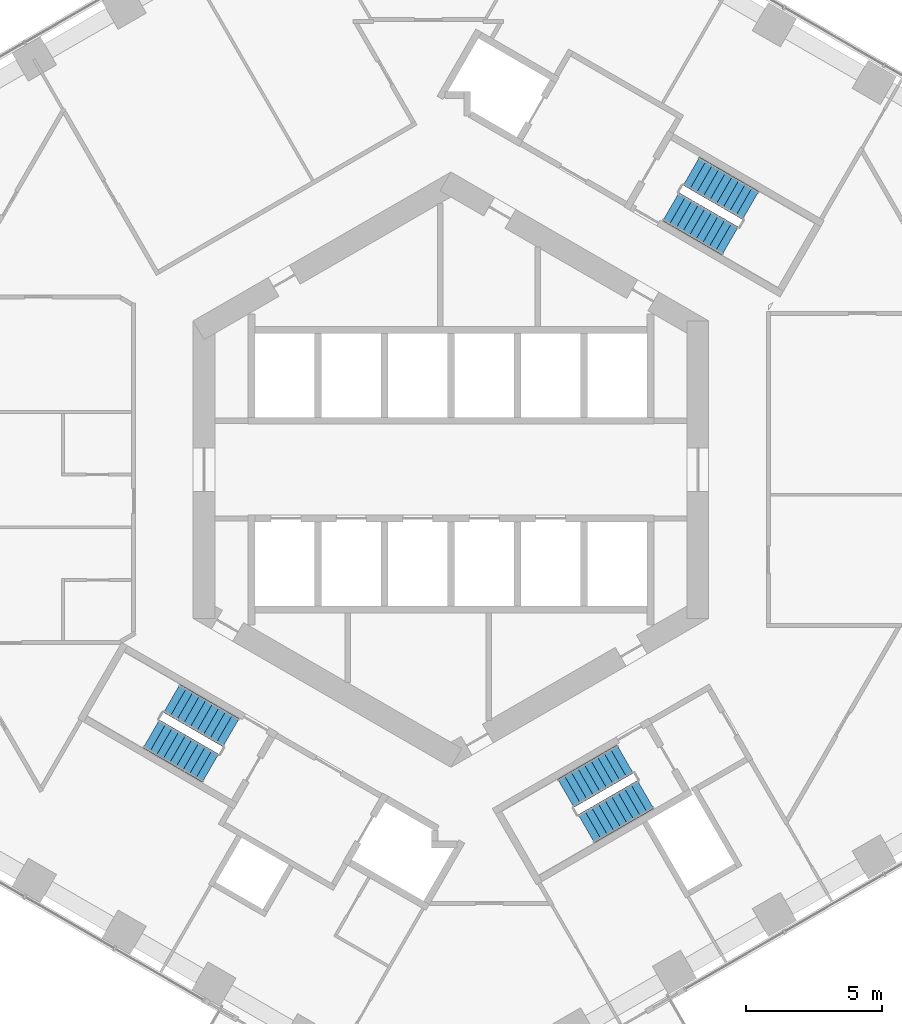
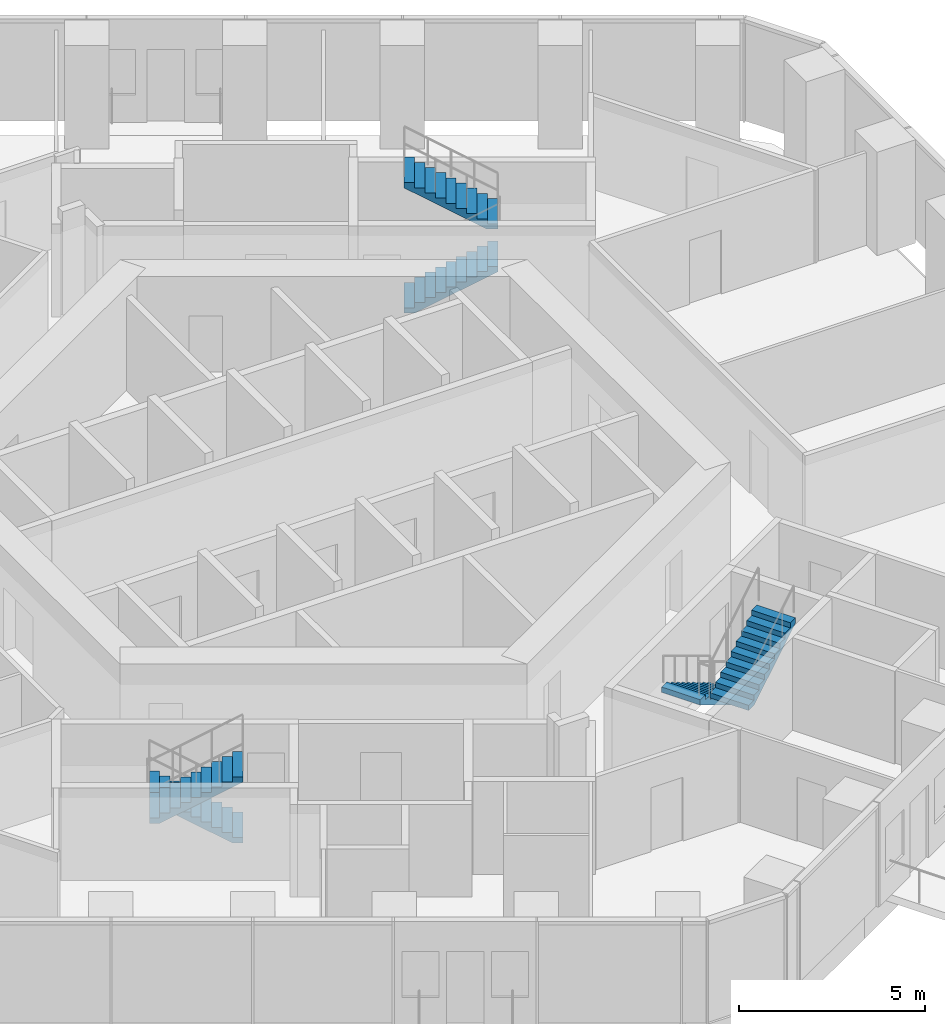
# One storey, part 17 of 20: 6 stair flights, 3 elements without a shape of their own.
"""IFC4 building model written with IfcOpenShell, lengths in metres."""

from ifc_helpers import new_model, si_unit, direction, frame, origin, place, context, subcontext, project, spatial, triangles, material, type_object, element, aggregate, save


model = new_model("IFC4")

# Units and contexts
model_context = context("Model", 3, precision=1e-05, world=origin(), true_north=direction((0.0, 1.0)))
body_context = subcontext(model_context, "Body", "Model", "MODEL_VIEW")
ifc_project = project(units=[si_unit("LENGTHUNIT", "METRE"), si_unit("AREAUNIT", "SQUARE_METRE"), si_unit("VOLUMEUNIT", "CUBIC_METRE"), si_unit("PLANEANGLEUNIT", "RADIAN"), si_unit("MASSUNIT", "GRAM", prefix="KILO")], contexts=[model_context])

# Site, building, storey
site_placement = place(None, origin())
site = spatial("IfcSite", under=ifc_project, at=site_placement, CompositionType="ELEMENT")
building_placement = place(site_placement, origin())
building = spatial("IfcBuilding", under=site, at=building_placement, Name="Ayvan Gate Tower", CompositionType="ELEMENT")
storey_placement = place(building_placement, frame((0.0, 0.0, 59.5)))
storey = spatial("IfcBuildingStorey", under=building, at=storey_placement, Name="L15", CompositionType="ELEMENT", Elevation=59.5)

# Stair, stair flights
ifc_material = material(Name="Concrete C40/50", Category="concrete")
stair_type = type_object("IfcStairType", Name="ST-EXIT", PredefinedType="HALF_TURN_STAIR", material=ifc_material)
stair_1_placement = place(storey_placement, origin())
stair_1 = element("IfcStair", 1, at=stair_1_placement, inside=storey, type_object=stair_type, Name="L15 Exit Stair S1", PredefinedType="HALF_TURN_STAIR")
stair_flight_type = type_object("IfcStairFlightType", Name="SFL-EXIT", PredefinedType="STRAIGHT", material=ifc_material)
stair_flight_1_placement = place(storey_placement, frame((8.106201171875, 9.690185546875, 0.0), z_axis=(0.0, 0.0, 1.0), x_axis=(0.866025403784, -0.5, 0.0)))
stair_flight_1 = element("IfcStairFlight", 2, at=stair_flight_1_placement, type_object=stair_flight_type, Name="STS1 flight 1", NumberOfRisers=10, NumberOfTreads=9, PredefinedType="STRAIGHT", RiserHeight=0.17, TreadLength=0.28, context=body_context, shape_type="Tessellation", body=[
    triangles([(0.288841, -0.599976, 0.0), (2.5205, -0.599976, 1.354936), (2.5205, -0.599976, 1.53), (2.24, -0.599976, 1.53), (2.24, -0.599976, 1.36), (1.96, -0.599976, 1.36), (1.96, -0.599976, 1.19), (1.68, -0.599976, 1.19), (1.68, -0.599976, 1.02), (1.4, -0.599976, 1.02), (1.4, -0.599976, 0.85), (1.12, -0.599976, 0.85), (1.12, -0.599976, 0.68), (0.84, -0.599976, 0.68), (0.84, -0.599976, 0.51), (0.56, -0.599976, 0.51), (0.56, -0.599976, 0.34), (0.28, -0.599976, 0.34), (0.28, -0.599976, 0.17), (-0.0005, -0.599976, 0.17), (-0.0005, -0.599976, 0.0), (0.288841, 0.0, 0.0), (2.5205, 0.0, 1.354936), (2.5205, 0.0, 1.53), (2.24, 0.0, 1.53), (2.24, 0.0, 1.36), (1.96, 0.0, 1.36), (1.96, 0.0, 1.19), (1.68, 0.0, 1.19), (1.68, 0.0, 1.02), (1.4, 0.0, 1.02), (1.4, 0.0, 0.85), (1.12, 0.0, 0.85), (1.12, 0.0, 0.68), (0.84, 0.0, 0.68), (0.84, 0.0, 0.51), (0.56, 0.0, 0.51), (0.56, 0.0, 0.34), (0.28, 0.0, 0.34), (0.28, 0.0, 0.17), (-0.0005, 0.0, 0.17), (-0.0005, 0.0, 0.0), (0.288841, 0.599976, 0.0), (2.5205, 0.599976, 1.354936), (2.5205, 0.599976, 1.53), (2.24, 0.599976, 1.53), (2.24, 0.599976, 1.36), (1.96, 0.599976, 1.36), (1.96, 0.599976, 1.19), (1.68, 0.599976, 1.19), (1.68, 0.599976, 1.02), (1.4, 0.599976, 1.02), (1.4, 0.599976, 0.85), (1.12, 0.599976, 0.85), (1.12, 0.599976, 0.68), (0.84, 0.599976, 0.68), (0.84, 0.599976, 0.51), (0.56, 0.599976, 0.51), (0.56, 0.599976, 0.34), (0.28, 0.599976, 0.34), (0.28, 0.599976, 0.17), (-0.0005, 0.599976, 0.17), (-0.0005, 0.599976, 0.0)], [[21, 1, 2], [63, 44, 43], [2, 3, 4], [44, 46, 45], [2, 4, 5], [44, 47, 46], [2, 5, 6], [44, 48, 47], [2, 6, 7], [44, 49, 48], [7, 8, 9], [49, 51, 50], [2, 7, 9], [44, 51, 49], [9, 10, 11], [51, 53, 52], [2, 9, 11], [44, 53, 51], [11, 12, 13], [53, 55, 54], [2, 11, 13], [44, 55, 53], [13, 14, 15], [55, 57, 56], [2, 13, 15], [44, 57, 55], [15, 16, 17], [57, 59, 58], [2, 15, 17], [44, 59, 57], [17, 18, 19], [59, 61, 60], [2, 17, 19], [44, 61, 59], [21, 2, 19], [63, 61, 44], [19, 20, 21], [61, 63, 62], [1, 22, 23], [1, 23, 2], [43, 23, 22], [43, 44, 23], [2, 23, 24], [2, 24, 3], [44, 24, 23], [44, 45, 24], [3, 24, 25], [3, 25, 4], [45, 25, 24], [45, 46, 25], [4, 25, 26], [4, 26, 5], [46, 26, 25], [46, 47, 26], [5, 26, 27], [5, 27, 6], [47, 27, 26], [47, 48, 27], [6, 27, 28], [6, 28, 7], [48, 28, 27], [48, 49, 28], [7, 28, 29], [7, 29, 8], [49, 29, 28], [49, 50, 29], [8, 29, 30], [8, 30, 9], [50, 30, 29], [50, 51, 30], [9, 30, 31], [9, 31, 10], [51, 31, 30], [51, 52, 31], [10, 31, 32], [10, 32, 11], [52, 32, 31], [52, 53, 32], [11, 32, 33], [11, 33, 12], [53, 33, 32], [53, 54, 33], [12, 33, 34], [12, 34, 13], [54, 34, 33], [54, 55, 34], [13, 34, 35], [13, 35, 14], [55, 35, 34], [55, 56, 35], [14, 35, 36], [14, 36, 15], [56, 36, 35], [56, 57, 36], [15, 36, 37], [15, 37, 16], [57, 37, 36], [57, 58, 37], [16, 37, 38], [16, 38, 17], [58, 38, 37], [58, 59, 38], [17, 38, 39], [17, 39, 18], [59, 39, 38], [59, 60, 39], [18, 39, 40], [18, 40, 19], [60, 40, 39], [60, 61, 40], [19, 40, 41], [19, 41, 20], [61, 41, 40], [61, 62, 41], [20, 41, 42], [20, 42, 21], [62, 42, 41], [62, 63, 42], [21, 42, 22], [21, 22, 1], [63, 22, 42], [63, 43, 22]], closed=True),
])
stair_flight_2_placement = place(storey_placement, frame((11.04345703125, 9.73779296875, 1.699951171875), z_axis=(0.0, 0.0, 1.0), x_axis=(-0.866025403784, 0.5, 0.0)))
stair_flight_2 = element("IfcStairFlight", 3, at=stair_flight_2_placement, type_object=stair_flight_type, Name="STS1 flight 2", NumberOfRisers=10, NumberOfTreads=9, PredefinedType="STRAIGHT", RiserHeight=0.17, TreadLength=0.28, context=body_context, shape_type="Tessellation", body=[
    triangles([(0.288841, -0.599976, 0.0), (2.5205, -0.599976, 1.354936), (2.5205, -0.599976, 1.53), (2.24, -0.599976, 1.53), (2.24, -0.599976, 1.36), (1.96, -0.599976, 1.36), (1.96, -0.599976, 1.19), (1.68, -0.599976, 1.19), (1.68, -0.599976, 1.02), (1.4, -0.599976, 1.02), (1.4, -0.599976, 0.85), (1.12, -0.599976, 0.85), (1.12, -0.599976, 0.68), (0.84, -0.599976, 0.68), (0.84, -0.599976, 0.51), (0.56, -0.599976, 0.51), (0.56, -0.599976, 0.34), (0.28, -0.599976, 0.34), (0.28, -0.599976, 0.17), (-0.0005, -0.599976, 0.17), (-0.0005, -0.599976, 0.0), (0.288841, 0.0, 0.0), (2.5205, 0.0, 1.354936), (2.5205, 0.0, 1.53), (2.24, 0.0, 1.53), (2.24, 0.0, 1.36), (1.96, 0.0, 1.36), (1.96, 0.0, 1.19), (1.68, 0.0, 1.19), (1.68, 0.0, 1.02), (1.4, 0.0, 1.02), (1.4, 0.0, 0.85), (1.12, 0.0, 0.85), (1.12, 0.0, 0.68), (0.84, 0.0, 0.68), (0.84, 0.0, 0.51), (0.56, 0.0, 0.51), (0.56, 0.0, 0.34), (0.28, 0.0, 0.34), (0.28, 0.0, 0.17), (-0.0005, 0.0, 0.17), (-0.0005, 0.0, 0.0), (0.288841, 0.599976, 0.0), (2.5205, 0.599976, 1.354936), (2.5205, 0.599976, 1.53), (2.24, 0.599976, 1.53), (2.24, 0.599976, 1.36), (1.96, 0.599976, 1.36), (1.96, 0.599976, 1.19), (1.68, 0.599976, 1.19), (1.68, 0.599976, 1.02), (1.4, 0.599976, 1.02), (1.4, 0.599976, 0.85), (1.12, 0.599976, 0.85), (1.12, 0.599976, 0.68), (0.84, 0.599976, 0.68), (0.84, 0.599976, 0.51), (0.56, 0.599976, 0.51), (0.56, 0.599976, 0.34), (0.28, 0.599976, 0.34), (0.28, 0.599976, 0.17), (-0.0005, 0.599976, 0.17), (-0.0005, 0.599976, 0.0)], [[21, 1, 2], [63, 44, 43], [2, 3, 4], [44, 46, 45], [2, 4, 5], [44, 47, 46], [2, 5, 6], [44, 48, 47], [2, 6, 7], [44, 49, 48], [7, 8, 9], [49, 51, 50], [2, 7, 9], [44, 51, 49], [9, 10, 11], [51, 53, 52], [2, 9, 11], [44, 53, 51], [11, 12, 13], [53, 55, 54], [2, 11, 13], [44, 55, 53], [13, 14, 15], [55, 57, 56], [2, 13, 15], [44, 57, 55], [15, 16, 17], [57, 59, 58], [2, 15, 17], [44, 59, 57], [17, 18, 19], [59, 61, 60], [2, 17, 19], [44, 61, 59], [21, 2, 19], [63, 61, 44], [19, 20, 21], [61, 63, 62], [1, 22, 23], [1, 23, 2], [43, 23, 22], [43, 44, 23], [2, 23, 24], [2, 24, 3], [44, 24, 23], [44, 45, 24], [3, 24, 25], [3, 25, 4], [45, 25, 24], [45, 46, 25], [4, 25, 26], [4, 26, 5], [46, 26, 25], [46, 47, 26], [5, 26, 27], [5, 27, 6], [47, 27, 26], [47, 48, 27], [6, 27, 28], [6, 28, 7], [48, 28, 27], [48, 49, 28], [7, 28, 29], [7, 29, 8], [49, 29, 28], [49, 50, 29], [8, 29, 30], [8, 30, 9], [50, 30, 29], [50, 51, 30], [9, 30, 31], [9, 31, 10], [51, 31, 30], [51, 52, 31], [10, 31, 32], [10, 32, 11], [52, 32, 31], [52, 53, 32], [11, 32, 33], [11, 33, 12], [53, 33, 32], [53, 54, 33], [12, 33, 34], [12, 34, 13], [54, 34, 33], [54, 55, 34], [13, 34, 35], [13, 35, 14], [55, 35, 34], [55, 56, 35], [14, 35, 36], [14, 36, 15], [56, 36, 35], [56, 57, 36], [15, 36, 37], [15, 37, 16], [57, 37, 36], [57, 58, 37], [16, 37, 38], [16, 38, 17], [58, 38, 37], [58, 59, 38], [17, 38, 39], [17, 39, 18], [59, 39, 38], [59, 60, 39], [18, 39, 40], [18, 40, 19], [60, 40, 39], [60, 61, 40], [19, 40, 41], [19, 41, 20], [61, 41, 40], [61, 62, 41], [20, 41, 42], [20, 42, 21], [62, 42, 41], [62, 63, 42], [21, 42, 22], [21, 22, 1], [63, 22, 42], [63, 43, 22]], closed=True),
])
aggregate(stair_1, [stair_flight_1, stair_flight_2])

stair_2_placement = place(storey_placement, origin())
stair_2 = element("IfcStair", 4, at=stair_2_placement, inside=storey, type_object=stair_type, Name="L15 Exit Stair S2", PredefinedType="HALF_TURN_STAIR")
stair_flight_3_placement = place(storey_placement, frame((-8.106201171875, -9.690185546875, 0.0), z_axis=(0.0, 0.0, 1.0), x_axis=(-0.866025403784, 0.5, 0.0)))
stair_flight_3 = element("IfcStairFlight", 5, at=stair_flight_3_placement, type_object=stair_flight_type, Name="STS2 flight 1", NumberOfRisers=10, NumberOfTreads=9, PredefinedType="STRAIGHT", RiserHeight=0.17, TreadLength=0.28, context=body_context, shape_type="Tessellation", body=[
    triangles([(0.288841, -0.599976, 0.0), (2.5205, -0.599976, 1.354936), (2.5205, -0.599976, 1.53), (2.24, -0.599976, 1.53), (2.24, -0.599976, 1.36), (1.96, -0.599976, 1.36), (1.96, -0.599976, 1.19), (1.68, -0.599976, 1.19), (1.68, -0.599976, 1.02), (1.4, -0.599976, 1.02), (1.4, -0.599976, 0.85), (1.12, -0.599976, 0.85), (1.12, -0.599976, 0.68), (0.84, -0.599976, 0.68), (0.84, -0.599976, 0.51), (0.56, -0.599976, 0.51), (0.56, -0.599976, 0.34), (0.28, -0.599976, 0.34), (0.28, -0.599976, 0.17), (-0.0005, -0.599976, 0.17), (-0.0005, -0.599976, 0.0), (0.288841, 0.0, 0.0), (2.5205, 0.0, 1.354936), (2.5205, 0.0, 1.53), (2.24, 0.0, 1.53), (2.24, 0.0, 1.36), (1.96, 0.0, 1.36), (1.96, 0.0, 1.19), (1.68, 0.0, 1.19), (1.68, 0.0, 1.02), (1.4, 0.0, 1.02), (1.4, 0.0, 0.85), (1.12, 0.0, 0.85), (1.12, 0.0, 0.68), (0.84, 0.0, 0.68), (0.84, 0.0, 0.51), (0.56, 0.0, 0.51), (0.56, 0.0, 0.34), (0.28, 0.0, 0.34), (0.28, 0.0, 0.17), (-0.0005, 0.0, 0.17), (-0.0005, 0.0, 0.0), (0.288841, 0.599976, 0.0), (2.5205, 0.599976, 1.354936), (2.5205, 0.599976, 1.53), (2.24, 0.599976, 1.53), (2.24, 0.599976, 1.36), (1.96, 0.599976, 1.36), (1.96, 0.599976, 1.19), (1.68, 0.599976, 1.19), (1.68, 0.599976, 1.02), (1.4, 0.599976, 1.02), (1.4, 0.599976, 0.85), (1.12, 0.599976, 0.85), (1.12, 0.599976, 0.68), (0.84, 0.599976, 0.68), (0.84, 0.599976, 0.51), (0.56, 0.599976, 0.51), (0.56, 0.599976, 0.34), (0.28, 0.599976, 0.34), (0.28, 0.599976, 0.17), (-0.0005, 0.599976, 0.17), (-0.0005, 0.599976, 0.0)], [[21, 1, 2], [63, 44, 43], [2, 3, 4], [44, 46, 45], [2, 4, 5], [44, 47, 46], [2, 5, 6], [44, 48, 47], [2, 6, 7], [44, 49, 48], [7, 8, 9], [49, 51, 50], [2, 7, 9], [44, 51, 49], [9, 10, 11], [51, 53, 52], [2, 9, 11], [44, 53, 51], [11, 12, 13], [53, 55, 54], [2, 11, 13], [44, 55, 53], [13, 14, 15], [55, 57, 56], [2, 13, 15], [44, 57, 55], [15, 16, 17], [57, 59, 58], [2, 15, 17], [44, 59, 57], [17, 18, 19], [59, 61, 60], [2, 17, 19], [44, 61, 59], [21, 2, 19], [63, 61, 44], [19, 20, 21], [61, 63, 62], [1, 22, 23], [1, 23, 2], [43, 23, 22], [43, 44, 23], [2, 23, 24], [2, 24, 3], [44, 24, 23], [44, 45, 24], [3, 24, 25], [3, 25, 4], [45, 25, 24], [45, 46, 25], [4, 25, 26], [4, 26, 5], [46, 26, 25], [46, 47, 26], [5, 26, 27], [5, 27, 6], [47, 27, 26], [47, 48, 27], [6, 27, 28], [6, 28, 7], [48, 28, 27], [48, 49, 28], [7, 28, 29], [7, 29, 8], [49, 29, 28], [49, 50, 29], [8, 29, 30], [8, 30, 9], [50, 30, 29], [50, 51, 30], [9, 30, 31], [9, 31, 10], [51, 31, 30], [51, 52, 31], [10, 31, 32], [10, 32, 11], [52, 32, 31], [52, 53, 32], [11, 32, 33], [11, 33, 12], [53, 33, 32], [53, 54, 33], [12, 33, 34], [12, 34, 13], [54, 34, 33], [54, 55, 34], [13, 34, 35], [13, 35, 14], [55, 35, 34], [55, 56, 35], [14, 35, 36], [14, 36, 15], [56, 36, 35], [56, 57, 36], [15, 36, 37], [15, 37, 16], [57, 37, 36], [57, 58, 37], [16, 37, 38], [16, 38, 17], [58, 38, 37], [58, 59, 38], [17, 38, 39], [17, 39, 18], [59, 39, 38], [59, 60, 39], [18, 39, 40], [18, 40, 19], [60, 40, 39], [60, 61, 40], [19, 40, 41], [19, 41, 20], [61, 41, 40], [61, 62, 41], [20, 41, 42], [20, 42, 21], [62, 42, 41], [62, 63, 42], [21, 42, 22], [21, 22, 1], [63, 22, 42], [63, 43, 22]], closed=True),
])
stair_flight_4_placement = place(storey_placement, frame((-11.04345703125, -9.73779296875, 1.699951171875), z_axis=(0.0, 0.0, 1.0), x_axis=(0.866025403784, -0.5, 0.0)))
stair_flight_4 = element("IfcStairFlight", 6, at=stair_flight_4_placement, type_object=stair_flight_type, Name="STS2 flight 2", NumberOfRisers=10, NumberOfTreads=9, PredefinedType="STRAIGHT", RiserHeight=0.17, TreadLength=0.28, context=body_context, shape_type="Tessellation", body=[
    triangles([(0.288841, -0.599976, 0.0), (2.5205, -0.599976, 1.354936), (2.5205, -0.599976, 1.53), (2.24, -0.599976, 1.53), (2.24, -0.599976, 1.36), (1.96, -0.599976, 1.36), (1.96, -0.599976, 1.19), (1.68, -0.599976, 1.19), (1.68, -0.599976, 1.02), (1.4, -0.599976, 1.02), (1.4, -0.599976, 0.85), (1.12, -0.599976, 0.85), (1.12, -0.599976, 0.68), (0.84, -0.599976, 0.68), (0.84, -0.599976, 0.51), (0.56, -0.599976, 0.51), (0.56, -0.599976, 0.34), (0.28, -0.599976, 0.34), (0.28, -0.599976, 0.17), (-0.0005, -0.599976, 0.17), (-0.0005, -0.599976, 0.0), (0.288841, 0.0, 0.0), (2.5205, 0.0, 1.354936), (2.5205, 0.0, 1.53), (2.24, 0.0, 1.53), (2.24, 0.0, 1.36), (1.96, 0.0, 1.36), (1.96, 0.0, 1.19), (1.68, 0.0, 1.19), (1.68, 0.0, 1.02), (1.4, 0.0, 1.02), (1.4, 0.0, 0.85), (1.12, 0.0, 0.85), (1.12, 0.0, 0.68), (0.84, 0.0, 0.68), (0.84, 0.0, 0.51), (0.56, 0.0, 0.51), (0.56, 0.0, 0.34), (0.28, 0.0, 0.34), (0.28, 0.0, 0.17), (-0.0005, 0.0, 0.17), (-0.0005, 0.0, 0.0), (0.288841, 0.599976, 0.0), (2.5205, 0.599976, 1.354936), (2.5205, 0.599976, 1.53), (2.24, 0.599976, 1.53), (2.24, 0.599976, 1.36), (1.96, 0.599976, 1.36), (1.96, 0.599976, 1.19), (1.68, 0.599976, 1.19), (1.68, 0.599976, 1.02), (1.4, 0.599976, 1.02), (1.4, 0.599976, 0.85), (1.12, 0.599976, 0.85), (1.12, 0.599976, 0.68), (0.84, 0.599976, 0.68), (0.84, 0.599976, 0.51), (0.56, 0.599976, 0.51), (0.56, 0.599976, 0.34), (0.28, 0.599976, 0.34), (0.28, 0.599976, 0.17), (-0.0005, 0.599976, 0.17), (-0.0005, 0.599976, 0.0)], [[21, 1, 2], [63, 44, 43], [2, 3, 4], [44, 46, 45], [2, 4, 5], [44, 47, 46], [2, 5, 6], [44, 48, 47], [2, 6, 7], [44, 49, 48], [7, 8, 9], [49, 51, 50], [2, 7, 9], [44, 51, 49], [9, 10, 11], [51, 53, 52], [2, 9, 11], [44, 53, 51], [11, 12, 13], [53, 55, 54], [2, 11, 13], [44, 55, 53], [13, 14, 15], [55, 57, 56], [2, 13, 15], [44, 57, 55], [15, 16, 17], [57, 59, 58], [2, 15, 17], [44, 59, 57], [17, 18, 19], [59, 61, 60], [2, 17, 19], [44, 61, 59], [21, 2, 19], [63, 61, 44], [19, 20, 21], [61, 63, 62], [1, 22, 23], [1, 23, 2], [43, 23, 22], [43, 44, 23], [2, 23, 24], [2, 24, 3], [44, 24, 23], [44, 45, 24], [3, 24, 25], [3, 25, 4], [45, 25, 24], [45, 46, 25], [4, 25, 26], [4, 26, 5], [46, 26, 25], [46, 47, 26], [5, 26, 27], [5, 27, 6], [47, 27, 26], [47, 48, 27], [6, 27, 28], [6, 28, 7], [48, 28, 27], [48, 49, 28], [7, 28, 29], [7, 29, 8], [49, 29, 28], [49, 50, 29], [8, 29, 30], [8, 30, 9], [50, 30, 29], [50, 51, 30], [9, 30, 31], [9, 31, 10], [51, 31, 30], [51, 52, 31], [10, 31, 32], [10, 32, 11], [52, 32, 31], [52, 53, 32], [11, 32, 33], [11, 33, 12], [53, 33, 32], [53, 54, 33], [12, 33, 34], [12, 34, 13], [54, 34, 33], [54, 55, 34], [13, 34, 35], [13, 35, 14], [55, 35, 34], [55, 56, 35], [14, 35, 36], [14, 36, 15], [56, 36, 35], [56, 57, 36], [15, 36, 37], [15, 37, 16], [57, 37, 36], [57, 58, 37], [16, 37, 38], [16, 38, 17], [58, 38, 37], [58, 59, 38], [17, 38, 39], [17, 39, 18], [59, 39, 38], [59, 60, 39], [18, 39, 40], [18, 40, 19], [60, 40, 39], [60, 61, 40], [19, 40, 41], [19, 41, 20], [61, 41, 40], [61, 62, 41], [20, 41, 42], [20, 42, 21], [62, 42, 41], [62, 63, 42], [21, 42, 22], [21, 22, 1], [63, 22, 42], [63, 43, 22]], closed=True),
])
aggregate(stair_2, [stair_flight_3, stair_flight_4])

stair_3_placement = place(storey_placement, origin())
stair_3 = element("IfcStair", 7, at=stair_3_placement, inside=storey, type_object=stair_type, Name="L15 Exit Stair S3", PredefinedType="HALF_TURN_STAIR")
stair_flight_5_placement = place(storey_placement, frame((6.417236328125, -10.665283203125, 0.0), z_axis=(0.0, 0.0, 1.0), x_axis=(-0.866025403784, -0.5, 0.0)))
stair_flight_5 = element("IfcStairFlight", 8, at=stair_flight_5_placement, type_object=stair_flight_type, Name="STS3 flight 1", NumberOfRisers=10, NumberOfTreads=9, PredefinedType="STRAIGHT", RiserHeight=0.17, TreadLength=0.28, context=body_context, shape_type="Tessellation", body=[
    triangles([(0.288841, -0.599976, 0.0), (2.5205, -0.599976, 1.354936), (2.5205, -0.599976, 1.53), (2.24, -0.599976, 1.53), (2.24, -0.599976, 1.36), (1.96, -0.599976, 1.36), (1.96, -0.599976, 1.19), (1.68, -0.599976, 1.19), (1.68, -0.599976, 1.02), (1.4, -0.599976, 1.02), (1.4, -0.599976, 0.85), (1.12, -0.599976, 0.85), (1.12, -0.599976, 0.68), (0.84, -0.599976, 0.68), (0.84, -0.599976, 0.51), (0.56, -0.599976, 0.51), (0.56, -0.599976, 0.34), (0.28, -0.599976, 0.34), (0.28, -0.599976, 0.17), (-0.0005, -0.599976, 0.17), (-0.0005, -0.599976, 0.0), (0.288841, 0.0, 0.0), (2.5205, 0.0, 1.354936), (2.5205, 0.0, 1.53), (2.24, 0.0, 1.53), (2.24, 0.0, 1.36), (1.96, 0.0, 1.36), (1.96, 0.0, 1.19), (1.68, 0.0, 1.19), (1.68, 0.0, 1.02), (1.4, 0.0, 1.02), (1.4, 0.0, 0.85), (1.12, 0.0, 0.85), (1.12, 0.0, 0.68), (0.84, 0.0, 0.68), (0.84, 0.0, 0.51), (0.56, 0.0, 0.51), (0.56, 0.0, 0.34), (0.28, 0.0, 0.34), (0.28, 0.0, 0.17), (-0.0005, 0.0, 0.17), (-0.0005, 0.0, 0.0), (0.288841, 0.599976, 0.0), (2.5205, 0.599976, 1.354936), (2.5205, 0.599976, 1.53), (2.24, 0.599976, 1.53), (2.24, 0.599976, 1.36), (1.96, 0.599976, 1.36), (1.96, 0.599976, 1.19), (1.68, 0.599976, 1.19), (1.68, 0.599976, 1.02), (1.4, 0.599976, 1.02), (1.4, 0.599976, 0.85), (1.12, 0.599976, 0.85), (1.12, 0.599976, 0.68), (0.84, 0.599976, 0.68), (0.84, 0.599976, 0.51), (0.56, 0.599976, 0.51), (0.56, 0.599976, 0.34), (0.28, 0.599976, 0.34), (0.28, 0.599976, 0.17), (-0.0005, 0.599976, 0.17), (-0.0005, 0.599976, 0.0)], [[21, 1, 2], [63, 44, 43], [2, 3, 4], [44, 46, 45], [2, 4, 5], [44, 47, 46], [2, 5, 6], [44, 48, 47], [2, 6, 7], [44, 49, 48], [7, 8, 9], [49, 51, 50], [2, 7, 9], [44, 51, 49], [9, 10, 11], [51, 53, 52], [2, 9, 11], [44, 53, 51], [11, 12, 13], [53, 55, 54], [2, 11, 13], [44, 55, 53], [13, 14, 15], [55, 57, 56], [2, 13, 15], [44, 57, 55], [15, 16, 17], [57, 59, 58], [2, 15, 17], [44, 59, 57], [17, 18, 19], [59, 61, 60], [2, 17, 19], [44, 61, 59], [21, 2, 19], [63, 61, 44], [19, 20, 21], [61, 63, 62], [1, 22, 23], [1, 23, 2], [43, 23, 22], [43, 44, 23], [2, 23, 24], [2, 24, 3], [44, 24, 23], [44, 45, 24], [3, 24, 25], [3, 25, 4], [45, 25, 24], [45, 46, 25], [4, 25, 26], [4, 26, 5], [46, 26, 25], [46, 47, 26], [5, 26, 27], [5, 27, 6], [47, 27, 26], [47, 48, 27], [6, 27, 28], [6, 28, 7], [48, 28, 27], [48, 49, 28], [7, 28, 29], [7, 29, 8], [49, 29, 28], [49, 50, 29], [8, 29, 30], [8, 30, 9], [50, 30, 29], [50, 51, 30], [9, 30, 31], [9, 31, 10], [51, 31, 30], [51, 52, 31], [10, 31, 32], [10, 32, 11], [52, 32, 31], [52, 53, 32], [11, 32, 33], [11, 33, 12], [53, 33, 32], [53, 54, 33], [12, 33, 34], [12, 34, 13], [54, 34, 33], [54, 55, 34], [13, 34, 35], [13, 35, 14], [55, 35, 34], [55, 56, 35], [14, 35, 36], [14, 36, 15], [56, 36, 35], [56, 57, 36], [15, 36, 37], [15, 37, 16], [57, 37, 36], [57, 58, 37], [16, 37, 38], [16, 38, 17], [58, 38, 37], [58, 59, 38], [17, 38, 39], [17, 39, 18], [59, 39, 38], [59, 60, 39], [18, 39, 40], [18, 40, 19], [60, 40, 39], [60, 61, 40], [19, 40, 41], [19, 41, 20], [61, 41, 40], [61, 62, 41], [20, 41, 42], [20, 42, 21], [62, 42, 41], [62, 63, 42], [21, 42, 22], [21, 22, 1], [63, 22, 42], [63, 43, 22]], closed=True),
])
stair_flight_6_placement = place(storey_placement, frame((4.989990234375, -13.23291015625, 1.699951171875), z_axis=(0.0, 0.0, 1.0), x_axis=(0.866025403784, 0.5, 0.0)))
stair_flight_6 = element("IfcStairFlight", 9, at=stair_flight_6_placement, type_object=stair_flight_type, Name="STS3 flight 2", NumberOfRisers=10, NumberOfTreads=9, PredefinedType="STRAIGHT", RiserHeight=0.17, TreadLength=0.28, context=body_context, shape_type="Tessellation", body=[
    triangles([(0.288841, -0.599976, 0.0), (2.5205, -0.599976, 1.354936), (2.5205, -0.599976, 1.53), (2.24, -0.599976, 1.53), (2.24, -0.599976, 1.36), (1.96, -0.599976, 1.36), (1.96, -0.599976, 1.19), (1.68, -0.599976, 1.19), (1.68, -0.599976, 1.02), (1.4, -0.599976, 1.02), (1.4, -0.599976, 0.85), (1.12, -0.599976, 0.85), (1.12, -0.599976, 0.68), (0.84, -0.599976, 0.68), (0.84, -0.599976, 0.51), (0.56, -0.599976, 0.51), (0.56, -0.599976, 0.34), (0.28, -0.599976, 0.34), (0.28, -0.599976, 0.17), (-0.0005, -0.599976, 0.17), (-0.0005, -0.599976, 0.0), (0.288841, 0.0, 0.0), (2.5205, 0.0, 1.354936), (2.5205, 0.0, 1.53), (2.24, 0.0, 1.53), (2.24, 0.0, 1.36), (1.96, 0.0, 1.36), (1.96, 0.0, 1.19), (1.68, 0.0, 1.19), (1.68, 0.0, 1.02), (1.4, 0.0, 1.02), (1.4, 0.0, 0.85), (1.12, 0.0, 0.85), (1.12, 0.0, 0.68), (0.84, 0.0, 0.68), (0.84, 0.0, 0.51), (0.56, 0.0, 0.51), (0.56, 0.0, 0.34), (0.28, 0.0, 0.34), (0.28, 0.0, 0.17), (-0.0005, 0.0, 0.17), (-0.0005, 0.0, 0.0), (0.288841, 0.599976, 0.0), (2.5205, 0.599976, 1.354936), (2.5205, 0.599976, 1.53), (2.24, 0.599976, 1.53), (2.24, 0.599976, 1.36), (1.96, 0.599976, 1.36), (1.96, 0.599976, 1.19), (1.68, 0.599976, 1.19), (1.68, 0.599976, 1.02), (1.4, 0.599976, 1.02), (1.4, 0.599976, 0.85), (1.12, 0.599976, 0.85), (1.12, 0.599976, 0.68), (0.84, 0.599976, 0.68), (0.84, 0.599976, 0.51), (0.56, 0.599976, 0.51), (0.56, 0.599976, 0.34), (0.28, 0.599976, 0.34), (0.28, 0.599976, 0.17), (-0.0005, 0.599976, 0.17), (-0.0005, 0.599976, 0.0)], [[21, 1, 2], [63, 44, 43], [2, 3, 4], [44, 46, 45], [2, 4, 5], [44, 47, 46], [2, 5, 6], [44, 48, 47], [2, 6, 7], [44, 49, 48], [7, 8, 9], [49, 51, 50], [2, 7, 9], [44, 51, 49], [9, 10, 11], [51, 53, 52], [2, 9, 11], [44, 53, 51], [11, 12, 13], [53, 55, 54], [2, 11, 13], [44, 55, 53], [13, 14, 15], [55, 57, 56], [2, 13, 15], [44, 57, 55], [15, 16, 17], [57, 59, 58], [2, 15, 17], [44, 59, 57], [17, 18, 19], [59, 61, 60], [2, 17, 19], [44, 61, 59], [21, 2, 19], [63, 61, 44], [19, 20, 21], [61, 63, 62], [1, 22, 23], [1, 23, 2], [43, 23, 22], [43, 44, 23], [2, 23, 24], [2, 24, 3], [44, 24, 23], [44, 45, 24], [3, 24, 25], [3, 25, 4], [45, 25, 24], [45, 46, 25], [4, 25, 26], [4, 26, 5], [46, 26, 25], [46, 47, 26], [5, 26, 27], [5, 27, 6], [47, 27, 26], [47, 48, 27], [6, 27, 28], [6, 28, 7], [48, 28, 27], [48, 49, 28], [7, 28, 29], [7, 29, 8], [49, 29, 28], [49, 50, 29], [8, 29, 30], [8, 30, 9], [50, 30, 29], [50, 51, 30], [9, 30, 31], [9, 31, 10], [51, 31, 30], [51, 52, 31], [10, 31, 32], [10, 32, 11], [52, 32, 31], [52, 53, 32], [11, 32, 33], [11, 33, 12], [53, 33, 32], [53, 54, 33], [12, 33, 34], [12, 34, 13], [54, 34, 33], [54, 55, 34], [13, 34, 35], [13, 35, 14], [55, 35, 34], [55, 56, 35], [14, 35, 36], [14, 36, 15], [56, 36, 35], [56, 57, 36], [15, 36, 37], [15, 37, 16], [57, 37, 36], [57, 58, 37], [16, 37, 38], [16, 38, 17], [58, 38, 37], [58, 59, 38], [17, 38, 39], [17, 39, 18], [59, 39, 38], [59, 60, 39], [18, 39, 40], [18, 40, 19], [60, 40, 39], [60, 61, 40], [19, 40, 41], [19, 41, 20], [61, 41, 40], [61, 62, 41], [20, 41, 42], [20, 42, 21], [62, 42, 41], [62, 63, 42], [21, 42, 22], [21, 22, 1], [63, 22, 42], [63, 43, 22]], closed=True),
])
aggregate(stair_3, [stair_flight_5, stair_flight_6])

save(model, "model.ifc")
